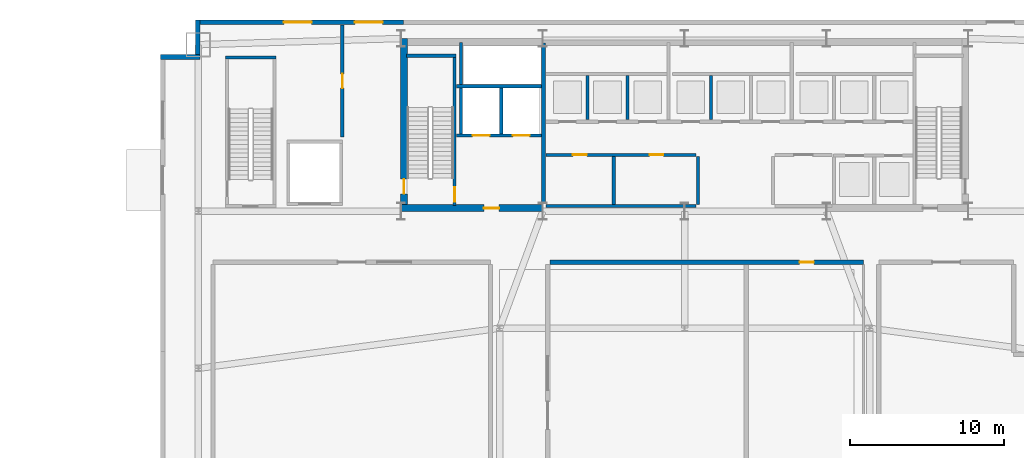
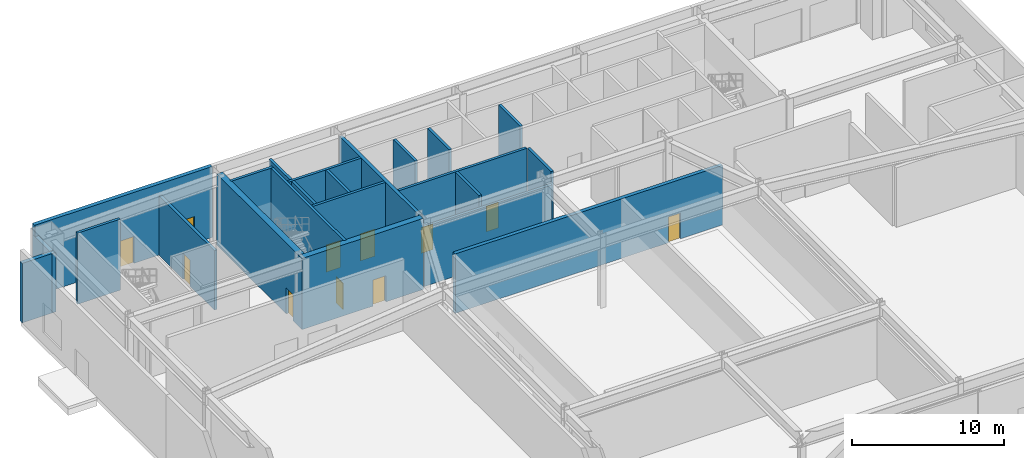
# One storey, part 10 of 17: 22 walls, 11 doors, 11 openings.
"""IFC4 building model written with IfcOpenShell, lengths in metres."""

from ifc_helpers import new_model, si_unit, direction, frame, frame_2d, origin, place, context, subcontext, project, spatial, rectangle, extrude, source, transform, mapped, material, layer, layer_set, type_object, type_shapes, element, fill, save


model = new_model("IFC4")

# Units and contexts
model_context = context("Model", 3, precision=1e-05, world=origin(), true_north=direction((0.0, 1.0)))
body_context = subcontext(model_context, "Body", "Model", "MODEL_VIEW")
ifc_project = project(units=[si_unit("LENGTHUNIT", "METRE"), si_unit("AREAUNIT", "SQUARE_METRE"), si_unit("VOLUMEUNIT", "CUBIC_METRE"), si_unit("PLANEANGLEUNIT", "RADIAN"), si_unit("MASSUNIT", "GRAM", prefix="KILO")], contexts=[model_context])

# Site, building, storey
site_placement = place(None, origin())
site = spatial("IfcSite", under=ifc_project, at=site_placement, CompositionType="ELEMENT")
building_placement = place(site_placement, origin())
building = spatial("IfcBuilding", under=site, at=building_placement, Name="Varnel Quay Broadcast Tower", CompositionType="ELEMENT")
storey_placement = place(building_placement, origin())
storey = spatial("IfcBuildingStorey", under=building, at=storey_placement, Name="L00", CompositionType="ELEMENT", Elevation=0.0)

# Wall, opening, door
ifc_material_1 = material(Name="Concrete CSA A23.3 C50/60", Category="concrete")
ifc_layer_1 = layer(ifc_material_1, 0.199951171875, Name="Concrete CSA A23.3 C50/60")
ifc_layer_set_1 = layer_set([ifc_layer_1], Name="Concrete CSA A23.3 C50/60")
wall_type_1 = type_object("IfcWallType", Name="Wall_CoreShaftShear200", PredefinedType="SHEAR", material=ifc_layer_set_1)
wall_1_placement = place(storey_placement, frame((19.080078125, 35.949951171875, 0.0), z_axis=(0.0, 0.0, 1.0), x_axis=(0.0, 1.0, 0.0)))
wall_1 = element("IfcWall", 1, at=wall_1_placement, inside=storey, type_object=wall_type_1, Name="L00 Stair 1 East Structural Wall", PredefinedType="SHEAR", context=body_context, shape_type="SweptSolid", body=[
    extrude(rectangle(XDim=9.650146484375, YDim=0.199951171875, at=frame_2d((4.8251953125, 0.0))), origin(), (0.0, 0.0, 1.0), 5.719970703125),
])
opening_1_placement = place(wall_1_placement, frame((0.25, 0.0, 0.0)))
opening_1 = element("IfcOpeningElement", 2, at=opening_1_placement, cuts=wall_1, Name="Opening D-L00-S1", PredefinedType="OPENING", context=body_context, shape_type="SweptSolid", body=[
    extrude(rectangle(XDim=0.949951171875, YDim=2.10009765625, at=frame_2d((0.47509765625, 1.050048828125))), frame((0.0, 0.10986328125, 0.0), z_axis=(0.0, -1.0, 0.0), x_axis=(1.0, 0.0, 0.0)), (0.0, 0.0, 1.0), 0.219970703125),
])
ifc_material_2 = material(Name="Insulated Fire-Rated Hollow Steel Door", Category="steel")
door_type_1 = type_object("IfcDoorType", Name="Door_FireStair950", OperationType="NOTDEFINED", PredefinedType="DOOR", material=ifc_material_2)
shared_shape_1 = source(origin(), body_context, "Body", "SweptSolid", [
    extrude(rectangle(XDim=0.949951171875, YDim=2.10009765625, at=frame_2d((0.47509765625, 1.050048828125))), frame((0.0, 0.02490234375, 0.0), z_axis=(0.0, -1.0, 0.0), x_axis=(1.0, 0.0, 0.0)), (0.0, 0.0, 1.0), 0.050048828125),
])
type_shapes(door_type_1, [shared_shape_1])
door_1_placement = place(opening_1_placement, origin())
door_1 = element("IfcDoor", 3, at=door_1_placement, inside=storey, type_object=door_type_1, Name="L00 Stair 1 Fire Door", OperationType="SINGLE_SWING_LEFT", OverallHeight=2.10009765625, OverallWidth=0.949951171875, PredefinedType="DOOR", context=body_context, shape_type="MappedRepresentation", body=[
    mapped(shared_shape_1, transform((0.0, 0.0, 0.0), x_axis=(1.0, 0.0, 0.0), y_axis=(0.0, 1.0, 0.0), z_axis=(0.0, 0.0, 1.0), scale=1.0)),
])
fill(opening_1, door_1)

# Wall
wall_2_placement = place(storey_placement, frame((15.949951171875, 45.679931640625, 0.0), z_axis=(0.0, 0.0, 1.0), x_axis=(1.0, 0.0, 0.0)))
element("IfcWall", 4, at=wall_2_placement, inside=storey, type_object=wall_type_1, Name="L00 Stair 1 North Structural Wall", PredefinedType="SHEAR", context=body_context, shape_type="SweptSolid", body=[
    extrude(rectangle(XDim=3.22998046875, YDim=0.199951171875, at=frame_2d((1.614990234375, 0.0))), origin(), (0.0, 0.0, 1.0), 5.719970703125),
])

# Wall, openings, doors
wall_3_placement = place(storey_placement, frame((19.199951171875, 40.5, 0.0), z_axis=(0.0, 0.0, 1.0), x_axis=(1.0, 0.0, 0.0)))
wall_3 = element("IfcWall", 5, at=wall_3_placement, inside=storey, type_object=wall_type_1, Name="L00 Firefighter Lift Shaft Front Wall", PredefinedType="SHEAR", context=body_context, shape_type="SweptSolid", body=[
    extrude(rectangle(XDim=5.52001953125, YDim=0.199951171875, at=frame_2d((2.760009765625, 0.0))), origin(), (0.0, 0.0, 1.0), 5.719970703125),
])
opening_2_placement = place(wall_3_placement, frame((1.050048828125, 0.0, 0.0)))
opening_2 = element("IfcOpeningElement", 6, at=opening_2_placement, cuts=wall_3, Name="Opening LD-L00-FE1", PredefinedType="OPENING", context=body_context, shape_type="SweptSolid", body=[
    extrude(rectangle(XDim=1.10009765625, YDim=2.179931640625, at=frame_2d((0.550048828125, 1.08984375))), frame((0.0, 0.10986328125, 0.0), z_axis=(0.0, -1.0, 0.0), x_axis=(1.0, 0.0, 0.0)), (0.0, 0.0, 1.0), 0.219970703125),
])
opening_3_placement = place(wall_3_placement, frame((3.64990234375, 0.0, 0.0)))
opening_3 = element("IfcOpeningElement", 7, at=opening_3_placement, cuts=wall_3, Name="Opening LD-L00-FE2", PredefinedType="OPENING", context=body_context, shape_type="SweptSolid", body=[
    extrude(rectangle(XDim=1.10009765625, YDim=2.179931640625, at=frame_2d((0.550048828125, 1.08984375))), frame((0.0, 0.10986328125, 0.0), z_axis=(0.0, -1.0, 0.0), x_axis=(1.0, 0.0, 0.0)), (0.0, 0.0, 1.0), 0.219970703125),
])
ifc_material_3 = material(Name="Brushed Bronze-Stainless Lift Car & Sliding Doors", Category="steel")
door_type_2 = type_object("IfcDoorType", Name="Door_LiftLanding1100", OperationType="SLIDING_TO_LEFT", PredefinedType="DOOR", material=ifc_material_3)
shared_shape_2 = source(origin(), body_context, "Body", "SweptSolid", [
    extrude(rectangle(XDim=1.10009765625, YDim=2.179931640625, at=frame_2d((0.550048828125, 1.08984375))), frame((0.0, 0.02490234375, 0.0), z_axis=(0.0, -1.0, 0.0), x_axis=(1.0, 0.0, 0.0)), (0.0, 0.0, 1.0), 0.050048828125),
])
type_shapes(door_type_2, [shared_shape_2])
door_2_placement = place(opening_2_placement, frame((1.10009765625, 0.0, 0.0), z_axis=(0.0, 0.0, 1.0), x_axis=(-1.0, 0.0, 0.0)))
door_2 = element("IfcDoor", 8, at=door_2_placement, inside=storey, type_object=door_type_2, Name="L00 Firefighter Lift FE-01 Landing Door", OperationType="SLIDING_TO_LEFT", OverallHeight=2.179931640625, OverallWidth=1.10009765625, PredefinedType="DOOR", context=body_context, shape_type="MappedRepresentation", body=[
    mapped(shared_shape_2, transform((0.0, 0.0, 0.0), x_axis=(1.0, 0.0, 0.0), y_axis=(0.0, 1.0, 0.0), z_axis=(0.0, 0.0, 1.0), scale=1.0)),
])
fill(opening_2, door_2)
door_3_placement = place(opening_3_placement, frame((1.10009765625, 0.0, 0.0), z_axis=(0.0, 0.0, 1.0), x_axis=(-1.0, 0.0, 0.0)))
door_3 = element("IfcDoor", 9, at=door_3_placement, inside=storey, type_object=door_type_2, Name="L00 Firefighter Lift FE-02 Landing Door", OperationType="SLIDING_TO_RIGHT", OverallHeight=2.179931640625, OverallWidth=1.10009765625, PredefinedType="DOOR", context=body_context, shape_type="MappedRepresentation", body=[
    mapped(shared_shape_2, transform((0.0, 0.0, 0.0), x_axis=(1.0, 0.0, 0.0), y_axis=(0.0, 1.0, 0.0), z_axis=(0.0, 0.0, 1.0), scale=1.0)),
])
fill(opening_3, door_3)

# Walls
wall_4_placement = place(storey_placement, frame((19.199951171875, 43.699951171875, 0.0), z_axis=(0.0, 0.0, 1.0), x_axis=(1.0, 0.0, 0.0)))
element("IfcWall", 10, at=wall_4_placement, inside=storey, type_object=wall_type_1, Name="L00 Firefighter Lift Shaft Rear Wall", PredefinedType="SHEAR", context=body_context, shape_type="SweptSolid", body=[
    extrude(rectangle(XDim=5.52001953125, YDim=0.199951171875, at=frame_2d((2.760009765625, 0.0))), origin(), (0.0, 0.0, 1.0), 5.719970703125),
])
wall_5_placement = place(storey_placement, frame((22.10009765625, 40.60009765625, 0.0), z_axis=(0.0, 0.0, 1.0), x_axis=(0.0, 1.0, 0.0)))
element("IfcWall", 11, at=wall_5_placement, inside=storey, type_object=wall_type_1, Name="L00 Firefighter Lift Shaft Divider", PredefinedType="SHEAR", context=body_context, shape_type="SweptSolid", body=[
    extrude(rectangle(XDim=3.0, YDim=0.199951171875, at=frame_2d((1.5, 0.0))), origin(), (0.0, 0.0, 1.0), 5.719970703125),
])
wall_6_placement = place(storey_placement, frame((19.5, 40.60009765625, 0.0), z_axis=(0.0, 0.0, 1.0), x_axis=(0.0, 1.0, 0.0)))
element("IfcWall", 12, at=wall_6_placement, inside=storey, type_object=wall_type_1, Name="L00 Firefighter Lift Shaft West Wall", PredefinedType="SHEAR", context=body_context, shape_type="SweptSolid", body=[
    extrude(rectangle(XDim=5.949951171875, YDim=0.199951171875, at=frame_2d((2.97509765625, 0.0))), origin(), (0.0, 0.0, 1.0), 5.719970703125),
])
for number, where, z_axis, x_axis, name in (
    (13, (27.699951171875, 41.530029296875, 0.0), (0.0, 0.0, 1.0), (0.0, 1.0, 0.0), "L00 Low-Rise Lift Shaft Divider 1"),
    (14, (30.300048828125, 41.530029296875, 0.0), (0.0, 0.0, 1.0), (0.0, 1.0, 0.0), "L00 Low-Rise Lift Shaft Divider 2"),
    (15, (35.699951171875, 41.530029296875, 0.0), (0.0, 0.0, 1.0), (0.0, 1.0, 0.0), "L00 Mid-Rise Lift Shaft Divider 2"),
):
    element("IfcWall", number, at=place(storey_placement, frame(where, z_axis=z_axis, x_axis=x_axis)), inside=storey, type_object=wall_type_1, Name=name, PredefinedType="SHEAR", context=body_context, shape_type="SweptSolid", body=[
        extrude(rectangle(XDim=2.869873046875, YDim=0.199951171875, at=frame_2d((1.43505859375, 0.0))), origin(), (0.0, 0.0, 1.0), 5.719970703125),
    ])
wall_7_placement = place(storey_placement, frame((4.219970703125, 45.580078125, 0.0), z_axis=(0.0, 0.0, 1.0), x_axis=(1.0, 0.0, 0.0)))
element("IfcWall", 16, at=wall_7_placement, inside=storey, type_object=wall_type_1, Name="L00 Podium Stair 3 N Structural Wall", PredefinedType="SHEAR", context=body_context, shape_type="SweptSolid", body=[
    extrude(rectangle(XDim=3.260009765625, YDim=0.199951171875, at=frame_2d((1.6298828125, 0.0))), origin(), (0.0, 0.0, 1.0), 5.719970703125),
])
ifc_layer_2 = layer(ifc_material_1, 0.25, Name="Concrete CSA A23.3 C50/60")
ifc_layer_set_2 = layer_set([ifc_layer_2], Name="Concrete CSA A23.3 C50/60")
wall_type_2 = type_object("IfcWallType", Name="Wall_CoreShaftShear250", PredefinedType="SHEAR", material=ifc_layer_set_2)
wall_8_placement = place(storey_placement, frame((24.85009765625, 36.050048828125, 0.0), z_axis=(0.0, 0.0, 1.0), x_axis=(0.0, 1.0, 0.0)))
element("IfcWall", 17, at=wall_8_placement, inside=storey, type_object=wall_type_2, Name="L00 Firefighting Lobby East Structural Wall", PredefinedType="SHEAR", context=body_context, shape_type="SweptSolid", body=[
    extrude(rectangle(XDim=10.449951171875, YDim=0.25, at=frame_2d((5.22509765625, 0.0))), origin(), (0.0, 0.0, 1.0), 5.719970703125),
])

# Wall, opening, door
ifc_material_4 = material(Name="Concrete CSA A23.3 C60/75", Category="concrete")
ifc_layer_3 = layer(ifc_material_4, 0.449951171875, Name="Concrete CSA A23.3 C60/75")
ifc_layer_set_3 = layer_set([ifc_layer_3], Name="Concrete CSA A23.3 C60/75")
wall_type_3 = type_object("IfcWallType", Name="Wall_CoreShearInt450", PredefinedType="SHEAR", material=ifc_layer_set_3)
wall_9_placement = place(storey_placement, frame((15.794921875, 35.570068359375, 0.0), z_axis=(0.0, 0.0, 1.0), x_axis=(0.0, 1.0, 0.0)))
wall_9 = element("IfcWall", 18, at=wall_9_placement, inside=storey, type_object=wall_type_3, Name="L00 West Core Shear Wall", PredefinedType="SHEAR", context=body_context, shape_type="SweptSolid", body=[
    extrude(rectangle(XDim=11.22998046875, YDim=0.449951171875, at=frame_2d((5.614990234375, 0.0))), origin(), (0.0, 0.0, 1.0), 5.719970703125),
])
opening_4_placement = place(wall_9_placement, frame((1.14990234375, 0.0, 0.0)))
opening_4 = element("IfcOpeningElement", 19, at=opening_4_placement, cuts=wall_9, Name="Opening D-L00-S1X", PredefinedType="OPENING", context=body_context, shape_type="SweptSolid", body=[
    extrude(rectangle(XDim=0.949951171875, YDim=2.10009765625, at=frame_2d((0.47509765625, 1.050048828125))), frame((0.0, 0.23486328125, 0.0), z_axis=(0.0, -1.0, 0.0), x_axis=(1.0, 0.0, 0.0)), (0.0, 0.0, 1.0), 0.469970703125),
])
door_4_placement = place(opening_4_placement, origin())
door_4 = element("IfcDoor", 20, at=door_4_placement, inside=storey, type_object=door_type_1, Name="L00 Stair 1 Protected Exit Passage Discharge Door", OperationType="SINGLE_SWING_LEFT", OverallHeight=2.10009765625, OverallWidth=0.949951171875, PredefinedType="DOOR", context=body_context, shape_type="MappedRepresentation", body=[
    mapped(shared_shape_1, transform((0.0, 0.0, 0.0), x_axis=(1.0, 0.0, 0.0), y_axis=(0.0, 1.0, 0.0), z_axis=(0.0, 0.0, 1.0), scale=1.0)),
])
fill(opening_4, door_4)

wall_10_placement = place(storey_placement, frame((15.570068359375, 35.794921875, 0.0), z_axis=(0.0, 0.0, 1.0), x_axis=(1.0, 0.0, 0.0)))
wall_10 = element("IfcWall", 21, at=wall_10_placement, inside=storey, type_object=wall_type_3, Name="L00 South-West Core Shear Wall", PredefinedType="SHEAR", context=body_context, shape_type="SweptSolid", body=[
    extrude(rectangle(XDim=9.22998046875, YDim=0.449951171875, at=frame_2d((4.614990234375, 0.0))), origin(), (0.0, 0.0, 1.0), 5.719970703125),
])
opening_5_placement = place(wall_10_placement, frame((5.39990234375, 0.0, 0.0)))
opening_5 = element("IfcOpeningElement", 22, at=opening_5_placement, cuts=wall_10, Name="Opening D-L00-FFL", PredefinedType="OPENING", context=body_context, shape_type="SweptSolid", body=[
    extrude(rectangle(XDim=1.0, YDim=2.10009765625, at=frame_2d((0.5, 1.050048828125))), frame((0.0, 0.23486328125, 0.0), z_axis=(0.0, -1.0, 0.0), x_axis=(1.0, 0.0, 0.0)), (0.0, 0.0, 1.0), 0.469970703125),
])
door_type_3 = type_object("IfcDoorType", Name="Door_FireLobby1000", OperationType="NOTDEFINED", PredefinedType="DOOR", material=ifc_material_2)
shared_shape_3 = source(origin(), body_context, "Body", "SweptSolid", [
    extrude(rectangle(XDim=1.0, YDim=2.10009765625, at=frame_2d((0.5, 1.050048828125))), frame((0.0, 0.02490234375, 0.0), z_axis=(0.0, -1.0, 0.0), x_axis=(1.0, 0.0, 0.0)), (0.0, 0.0, 1.0), 0.050048828125),
])
type_shapes(door_type_3, [shared_shape_3])
door_5_placement = place(opening_5_placement, origin())
door_5 = element("IfcDoor", 23, at=door_5_placement, inside=storey, type_object=door_type_3, Name="L00 Firefighting Lobby Door", OperationType="SINGLE_SWING_RIGHT", OverallHeight=2.10009765625, OverallWidth=1.0, PredefinedType="DOOR", context=body_context, shape_type="MappedRepresentation", body=[
    mapped(shared_shape_3, transform((0.0, 0.0, 0.0), x_axis=(1.0, 0.0, 0.0), y_axis=(0.0, 1.0, 0.0), z_axis=(0.0, 0.0, 1.0), scale=1.0)),
])
fill(opening_5, door_5)

# Wall, openings, doors
ifc_material_5 = material(Name="Precast Architectural Concrete C40/50", Category="concrete")
ifc_layer_4 = layer(ifc_material_5, 0.300048828125, Name="Precast Architectural Concrete C40/50")
ifc_layer_set_4 = layer_set([ifc_layer_4], Name="Precast Architectural Concrete C40/50")
wall_type_4 = type_object("IfcWallType", Name="Wall_ExtPodium300", PredefinedType="SOLIDWALL", material=ifc_layer_set_4)
wall_11_placement = place(storey_placement, frame((2.25, 47.85009765625, 0.0), z_axis=(0.0, 0.0, 1.0), x_axis=(1.0, 0.0, 0.0)))
wall_11 = element("IfcWall", 24, at=wall_11_placement, inside=storey, type_object=wall_type_4, Name="L00 North-West Exit & CACF Exterior Wall", PredefinedType="SOLIDWALL", context=body_context, shape_type="SweptSolid", body=[
    extrude(rectangle(XDim=13.5, YDim=0.300048828125, at=frame_2d((6.75, 0.0))), origin(), (0.0, 0.0, 1.0), 5.699951171875),
])
opening_6_placement = place(wall_11_placement, frame((5.75, 0.0, 0.0)))
opening_6 = element("IfcOpeningElement", 25, at=opening_6_placement, cuts=wall_11, Name="Opening ED-03", PredefinedType="OPENING", context=body_context, shape_type="SweptSolid", body=[
    extrude(rectangle(XDim=1.800048828125, YDim=2.14990234375, at=frame_2d((0.89990234375, 1.074951171875))), frame((0.0, 0.16015625, 0.0), z_axis=(0.0, -1.0, 0.0), x_axis=(1.0, 0.0, 0.0)), (0.0, 0.0, 1.0), 0.320068359375),
])
opening_7_placement = place(wall_11_placement, frame((10.35009765625, 0.0, 0.0)))
opening_7 = element("IfcOpeningElement", 26, at=opening_7_placement, cuts=wall_11, Name="Opening ED-04", PredefinedType="OPENING", context=body_context, shape_type="SweptSolid", body=[
    extrude(rectangle(XDim=1.800048828125, YDim=2.14990234375, at=frame_2d((0.89990234375, 1.074951171875))), frame((0.0, 0.16015625, 0.0), z_axis=(0.0, -1.0, 0.0), x_axis=(1.0, 0.0, 0.0)), (0.0, 0.0, 1.0), 0.320068359375),
])
ifc_material_6 = material(Name="Anodised Bronze Aluminium 6063-T6", Category="aluminium")
door_type_4 = type_object("IfcDoorType", Name="Door_ExtExit1800", OperationType="DOUBLE_DOOR_SINGLE_SWING", PredefinedType="DOOR", material=ifc_material_6)
shared_shape_4 = source(origin(), body_context, "Body", "SweptSolid", [
    extrude(rectangle(XDim=1.800048828125, YDim=2.14990234375, at=frame_2d((0.89990234375, 1.074951171875))), frame((0.0, 0.02490234375, 0.0), z_axis=(0.0, -1.0, 0.0), x_axis=(1.0, 0.0, 0.0)), (0.0, 0.0, 1.0), 0.050048828125),
])
type_shapes(door_type_4, [shared_shape_4])
door_6_placement = place(opening_6_placement, origin())
door_6 = element("IfcDoor", 27, at=door_6_placement, inside=storey, type_object=door_type_4, Name="L00 North Exit Discharge ED-03", OperationType="DOUBLE_DOOR_SINGLE_SWING", OverallHeight=2.14990234375, OverallWidth=1.800048828125, PredefinedType="DOOR", context=body_context, shape_type="MappedRepresentation", body=[
    mapped(shared_shape_4, transform((0.0, 0.0, 0.0), x_axis=(1.0, 0.0, 0.0), y_axis=(0.0, 1.0, 0.0), z_axis=(0.0, 0.0, 1.0), scale=1.0)),
])
fill(opening_6, door_6)
door_7_placement = place(opening_7_placement, origin())
door_7 = element("IfcDoor", 28, at=door_7_placement, inside=storey, type_object=door_type_4, Name="L00 North Exit Discharge ED-04", OperationType="DOUBLE_DOOR_SINGLE_SWING", OverallHeight=2.14990234375, OverallWidth=1.800048828125, PredefinedType="DOOR", context=body_context, shape_type="MappedRepresentation", body=[
    mapped(shared_shape_4, transform((0.0, 0.0, 0.0), x_axis=(1.0, 0.0, 0.0), y_axis=(0.0, 1.0, 0.0), z_axis=(0.0, 0.0, 1.0), scale=1.0)),
])
fill(opening_7, door_7)

# Walls
for number, where, z_axis, x_axis, name in (
    (29, (0.0, 45.60009765625, 0.0), (0.0, 0.0, 1.0), (1.0, 0.0, 0.0), "L00 Podium Acoustic Exterior Wall NNW1"),
    (30, (2.39990234375, 45.449951171875, 0.0), (0.0, 0.0, 1.0), (0.0, 1.0, 0.0), "L00 Podium Acoustic Exterior Wall NNW2"),
):
    element("IfcWall", number, at=place(storey_placement, frame(where, z_axis=z_axis, x_axis=x_axis)), inside=storey, type_object=wall_type_4, Name=name, PredefinedType="SOLIDWALL", context=body_context, shape_type="SweptSolid", body=[
        extrude(rectangle(XDim=2.550048828125, YDim=0.300048828125, at=frame_2d((1.27490234375, 0.0))), origin(), (0.0, 0.0, 1.0), 4.782958984375),
    ])

# Wall, opening, door
ifc_material_7 = material(Name="Steel-Stud Fire-Rated Acoustic Gypsum Partition Assembly", Category="steel")
ifc_layer_5 = layer(ifc_material_7, 0.22509765625, Name="Steel-Stud Fire-Rated Acoustic Gypsum Partition Assembly")
ifc_layer_set_5 = layer_set([ifc_layer_5], Name="Steel-Stud Fire-Rated Acoustic Gypsum Partition Assembly")
wall_type_5 = type_object("IfcWallType", Name="Wall_Partition225", PredefinedType="PARTITIONING", material=ifc_layer_set_5)
wall_12_placement = place(storey_placement, frame((11.800048828125, 40.39990234375, 0.0), z_axis=(0.0, 0.0, 1.0), x_axis=(0.0, 1.0, 0.0)))
wall_12 = element("IfcWall", 31, at=wall_12_placement, inside=storey, type_object=wall_type_5, Name="L00 Central Alarm and Control Facility (Fire Command Room) Partition 8", PredefinedType="PARTITIONING", context=body_context, shape_type="SweptSolid", body=[
    extrude(rectangle(XDim=7.2900390625, YDim=0.22509765625, at=frame_2d((3.64501953125, 0.0))), origin(), (0.0, 0.0, 1.0), 4.782958984375),
])
opening_8_placement = place(wall_12_placement, frame((3.18505859375, 0.0, 0.0)))
opening_8 = element("IfcOpeningElement", 32, at=opening_8_placement, cuts=wall_12, Name="Opening D-L00-04", PredefinedType="OPENING", context=body_context, shape_type="SweptSolid", body=[
    extrude(rectangle(XDim=0.919921875, YDim=2.080078125, at=frame_2d((0.4599609375, 1.0400390625))), frame((0.0, 0.12255859375, 0.0), z_axis=(0.0, -1.0, 0.0), x_axis=(1.0, 0.0, 0.0)), (0.0, 0.0, 1.0), 0.2451171875),
])
ifc_material_8 = material(Name="Solid-Core Fire-Rated Acoustic Oak Veneer Door", Category="wood")
door_type_5 = type_object("IfcDoorType", Name="Door_Office920", OperationType="NOTDEFINED", PredefinedType="DOOR", material=ifc_material_8)
shared_shape_5 = source(origin(), body_context, "Body", "SweptSolid", [
    extrude(rectangle(XDim=0.919921875, YDim=2.080078125, at=frame_2d((0.4599609375, 1.0400390625))), frame((0.0, 0.02490234375, 0.0), z_axis=(0.0, -1.0, 0.0), x_axis=(1.0, 0.0, 0.0)), (0.0, 0.0, 1.0), 0.050048828125),
])
type_shapes(door_type_5, [shared_shape_5])
door_8_placement = place(opening_8_placement, origin())
door_8 = element("IfcDoor", 33, at=door_8_placement, inside=storey, type_object=door_type_5, Name="L00 Central Alarm and Control Facility (Fire Command Room) Door D-L00-04", OperationType="SINGLE_SWING_RIGHT", OverallHeight=2.080078125, OverallWidth=0.919921875, PredefinedType="DOOR", context=body_context, shape_type="MappedRepresentation", body=[
    mapped(shared_shape_5, transform((0.0, 0.0, 0.0), x_axis=(1.0, 0.0, 0.0), y_axis=(0.0, 1.0, 0.0), z_axis=(0.0, 0.0, 1.0), scale=1.0)),
])
fill(opening_8, door_8)

# Walls
ifc_material_9 = material(Name="Fire-Rated Moisture-Resistant Plumbing Chase Partition")
ifc_layer_6 = layer(ifc_material_9, 0.199951171875, Name="Fire-Rated Moisture-Resistant Plumbing Chase Partition")
ifc_layer_set_6 = layer_set([ifc_layer_6], Name="Fire-Rated Moisture-Resistant Plumbing Chase Partition")
wall_type_6 = type_object("IfcWallType", Name="Wall_Plumbing200", PredefinedType="PLUMBINGWALL", material=ifc_layer_set_6)
wall_13_placement = place(storey_placement, frame((25.0, 35.925048828125, 0.0), z_axis=(0.0, 0.0, 1.0), x_axis=(1.0, 0.0, 0.0)))
element("IfcWall", 34, at=wall_13_placement, inside=storey, type_object=wall_type_6, Name="L00 Accessible Washroom Partition 1", PredefinedType="PLUMBINGWALL", context=body_context, shape_type="SweptSolid", body=[
    extrude(rectangle(XDim=9.75, YDim=0.199951171875, at=frame_2d((4.875, 0.0))), origin(), (0.0, 0.0, 1.0), 4.782958984375),
])
wall_14_placement = place(storey_placement, frame((29.39990234375, 36.02490234375, 0.0), z_axis=(0.0, 0.0, 1.0), x_axis=(0.0, 1.0, 0.0)))
element("IfcWall", 35, at=wall_14_placement, inside=storey, type_object=wall_type_6, Name="L00 Accessible Washroom Partition 2", PredefinedType="PLUMBINGWALL", context=body_context, shape_type="SweptSolid", body=[
    extrude(rectangle(XDim=3.125, YDim=0.199951171875, at=frame_2d((1.5625, 0.0))), origin(), (0.0, 0.0, 1.0), 5.699951171875),
])

# Wall, openings, doors
wall_15_placement = place(storey_placement, frame((25.0, 39.25, 0.0), z_axis=(0.0, 0.0, 1.0), x_axis=(1.0, 0.0, 0.0)))
wall_15 = element("IfcWall", 36, at=wall_15_placement, inside=storey, type_object=wall_type_6, Name="L00 Accessible Washroom Partition 3", PredefinedType="PLUMBINGWALL", context=body_context, shape_type="SweptSolid", body=[
    extrude(rectangle(XDim=9.75, YDim=0.199951171875, at=frame_2d((4.875, 0.0))), origin(), (0.0, 0.0, 1.0), 5.699951171875),
])
opening_9_placement = place(wall_15_placement, frame((1.75, 0.0, 0.0)))
opening_9 = element("IfcOpeningElement", 37, at=opening_9_placement, cuts=wall_15, Name="Opening D-L00-01", PredefinedType="OPENING", context=body_context, shape_type="SweptSolid", body=[
    extrude(rectangle(XDim=0.89990234375, YDim=2.06005859375, at=frame_2d((0.449951171875, 1.030029296875))), frame((0.0, 0.10986328125, 0.0), z_axis=(0.0, -1.0, 0.0), x_axis=(1.0, 0.0, 0.0)), (0.0, 0.0, 1.0), 0.219970703125),
])
opening_10_placement = place(wall_15_placement, frame((6.72509765625, 0.0, 0.0)))
opening_10 = element("IfcOpeningElement", 38, at=opening_10_placement, cuts=wall_15, Name="Opening D-L00-02", PredefinedType="OPENING", context=body_context, shape_type="SweptSolid", body=[
    extrude(rectangle(XDim=0.89990234375, YDim=2.06005859375, at=frame_2d((0.449951171875, 1.030029296875))), frame((0.0, 0.10986328125, 0.0), z_axis=(0.0, -1.0, 0.0), x_axis=(1.0, 0.0, 0.0)), (0.0, 0.0, 1.0), 0.219970703125),
])
door_type_6 = type_object("IfcDoorType", Name="Door_Washroom900", OperationType="NOTDEFINED", PredefinedType="DOOR", material=ifc_material_8)
shared_shape_6 = source(origin(), body_context, "Body", "SweptSolid", [
    extrude(rectangle(XDim=0.89990234375, YDim=2.06005859375, at=frame_2d((0.449951171875, 1.030029296875))), frame((0.0, 0.02490234375, 0.0), z_axis=(0.0, -1.0, 0.0), x_axis=(1.0, 0.0, 0.0)), (0.0, 0.0, 1.0), 0.050048828125),
])
type_shapes(door_type_6, [shared_shape_6])
door_9_placement = place(opening_9_placement, frame((0.89990234375, 0.0, 0.0), z_axis=(0.0, 0.0, 1.0), x_axis=(-1.0, 0.0, 0.0)))
door_9 = element("IfcDoor", 39, at=door_9_placement, inside=storey, type_object=door_type_6, Name="L00 Accessible Washroom Door D-L00-01", OperationType="SINGLE_SWING_LEFT", OverallHeight=2.06005859375, OverallWidth=0.89990234375, PredefinedType="DOOR", context=body_context, shape_type="MappedRepresentation", body=[
    mapped(shared_shape_6, transform((0.0, 0.0, 0.0), x_axis=(1.0, 0.0, 0.0), y_axis=(0.0, 1.0, 0.0), z_axis=(0.0, 0.0, 1.0), scale=1.0)),
])
fill(opening_9, door_9)
door_10_placement = place(opening_10_placement, frame((0.89990234375, 0.0, 0.0), z_axis=(0.0, 0.0, 1.0), x_axis=(-1.0, 0.0, 0.0)))
door_10 = element("IfcDoor", 40, at=door_10_placement, inside=storey, type_object=door_type_6, Name="L00 Staff Washrooms Door D-L00-02", OperationType="SINGLE_SWING_RIGHT", OverallHeight=2.06005859375, OverallWidth=0.89990234375, PredefinedType="DOOR", context=body_context, shape_type="MappedRepresentation", body=[
    mapped(shared_shape_6, transform((0.0, 0.0, 0.0), x_axis=(1.0, 0.0, 0.0), y_axis=(0.0, 1.0, 0.0), z_axis=(0.0, 0.0, 1.0), scale=1.0)),
])
fill(opening_10, door_10)

# Wall
wall_16_placement = place(storey_placement, frame((34.875, 36.02490234375, 0.0), z_axis=(0.0, 0.0, 1.0), x_axis=(0.0, 1.0, 0.0)))
element("IfcWall", 41, at=wall_16_placement, inside=storey, type_object=wall_type_6, Name="L00 Staff Washrooms Partition 4", PredefinedType="PLUMBINGWALL", context=body_context, shape_type="SweptSolid", body=[
    extrude(rectangle(XDim=3.125, YDim=0.199951171875, at=frame_2d((1.5625, 0.0))), origin(), (0.0, 0.0, 1.0), 5.699951171875),
])

# Wall, opening, door
ifc_material_10 = material(Name="Double-Leaf Isolated Acoustic Studio Wall Concrete C40/50", Category="concrete")
ifc_layer_7 = layer(ifc_material_10, 0.280029296875, Name="Double-Leaf Isolated Acoustic Studio Wall Concrete C40/50")
ifc_layer_set_7 = layer_set([ifc_layer_7], Name="Double-Leaf Isolated Acoustic Studio Wall Concrete C40/50")
wall_type_7 = type_object("IfcWallType", Name="Wall_StudioAcoustic280", PredefinedType="SOLIDWALL", material=ifc_layer_set_7)
wall_17_placement = place(storey_placement, frame((25.25, 32.27490234375, 0.0), z_axis=(0.0, 0.0, 1.0), x_axis=(1.0, 0.0, 0.0)))
wall_17 = element("IfcWall", 42, at=wall_17_placement, inside=storey, type_object=wall_type_7, Name="L00 Live Harbour News Studio C Partition 22", PredefinedType="SOLIDWALL", context=body_context, shape_type="SweptSolid", body=[
    extrude(rectangle(XDim=20.35009765625, YDim=0.280029296875, at=frame_2d((10.175048828125, 0.0))), origin(), (0.0, 0.0, 1.0), 4.782958984375),
])
opening_11_placement = place(wall_17_placement, frame((16.215087890625, 0.0, 0.0)))
opening_11 = element("IfcOpeningElement", 43, at=opening_11_placement, cuts=wall_17, Name="Opening D-L00-09", PredefinedType="OPENING", context=body_context, shape_type="SweptSolid", body=[
    extrude(rectangle(XDim=0.919921875, YDim=2.080078125, at=frame_2d((0.4599609375, 1.0400390625))), frame((0.0, 0.14990234375, 0.0), z_axis=(0.0, -1.0, 0.0), x_axis=(1.0, 0.0, 0.0)), (0.0, 0.0, 1.0), 0.300048828125),
])
door_11_placement = place(opening_11_placement, frame((0.919921875, 0.0, 0.0), z_axis=(0.0, 0.0, 1.0), x_axis=(-1.0, 0.0, 0.0)))
door_11 = element("IfcDoor", 44, at=door_11_placement, inside=storey, type_object=door_type_5, Name="L00 Quay Promenade Broadcast Cafe Door D-L00-09", OperationType="SINGLE_SWING_LEFT", OverallHeight=2.080078125, OverallWidth=0.919921875, PredefinedType="DOOR", context=body_context, shape_type="MappedRepresentation", body=[
    mapped(shared_shape_5, transform((0.0, 0.0, 0.0), x_axis=(1.0, 0.0, 0.0), y_axis=(0.0, 1.0, 0.0), z_axis=(0.0, 0.0, 1.0), scale=1.0)),
])
fill(opening_11, door_11)

save(model, "model.ifc")
